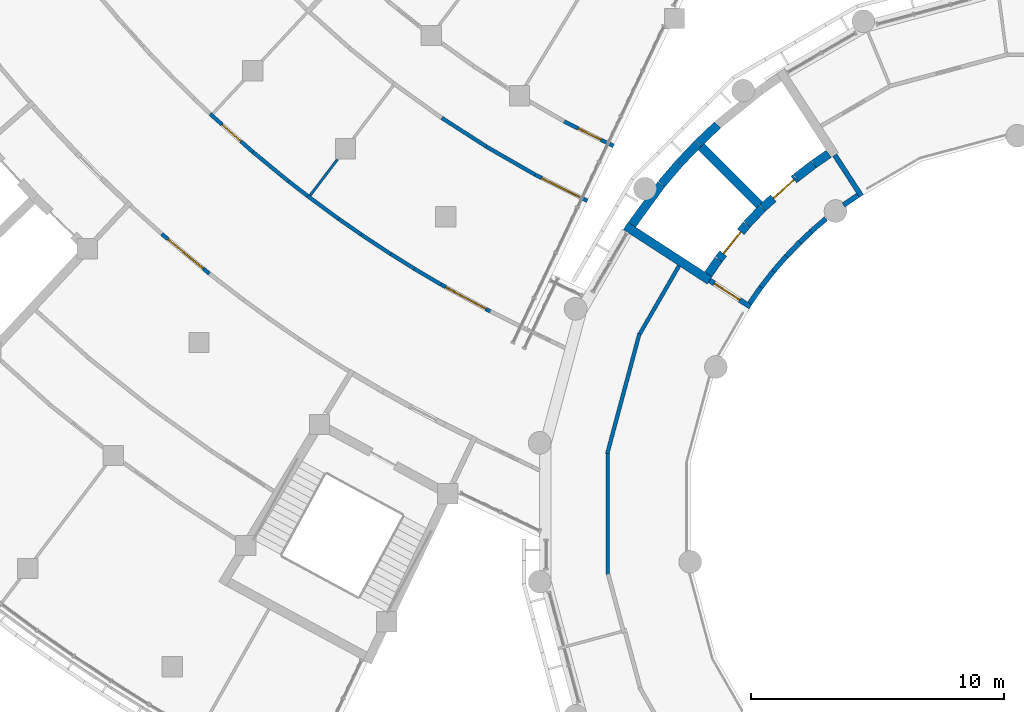
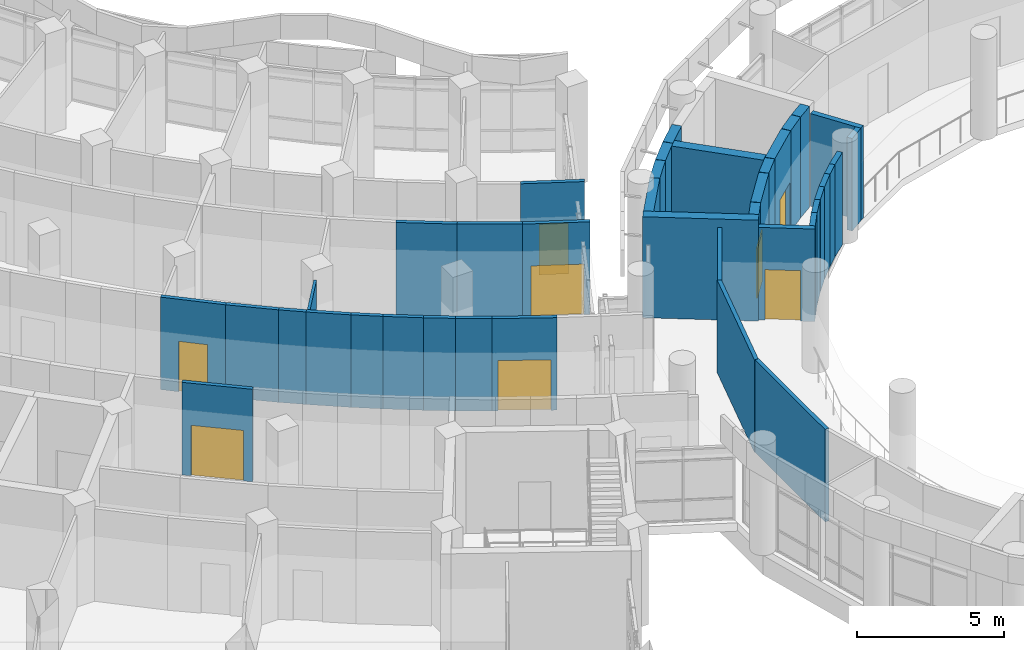
# One storey, part 46 of 109: 39 walls, 8 doors, 8 openings.
"""IFC4 building model written with IfcOpenShell, lengths in metres."""

from ifc_helpers import new_model, si_unit, direction, frame, frame_2d, origin, place, context, subcontext, project, spatial, rectangle, extrude, material, layer, layer_set, type_object, element, fill, save


model = new_model("IFC4")

# Units and contexts
model_context = context("Model", 3, precision=1e-05, world=origin(), true_north=direction((0.0, 1.0)))
body_context = subcontext(model_context, "Body", "Model", "MODEL_VIEW")
ifc_project = project(units=[si_unit("LENGTHUNIT", "METRE"), si_unit("AREAUNIT", "SQUARE_METRE"), si_unit("VOLUMEUNIT", "CUBIC_METRE"), si_unit("PLANEANGLEUNIT", "RADIAN"), si_unit("MASSUNIT", "GRAM", prefix="KILO")], contexts=[model_context])

# Site, building, storey
site_placement = place(None, origin())
site = spatial("IfcSite", under=ifc_project, at=site_placement, CompositionType="ELEMENT")
building_placement = place(site_placement, origin())
building = spatial("IfcBuilding", under=site, at=building_placement, Name="Bougainvillea Quay General Hospital", CompositionType="ELEMENT")
storey_placement = place(building_placement, frame((0.0, 0.0, 12.60009765625)))
storey = spatial("IfcBuildingStorey", under=building, at=storey_placement, Name="L02", CompositionType="ELEMENT", Elevation=12.60009765625)

# Walls
ifc_material_1 = material(Name="Gypsum board partition on steel studs", Category="steel")
ifc_layer_1 = layer(ifc_material_1, 0.10009765625)
ifc_layer_set_1 = layer_set([ifc_layer_1], Name="Gypsum board partition on steel studs")
wall_type_1 = type_object("IfcWallType", Name="Partition 100 Gypsum board partition EI 30", PredefinedType="PARTITIONING", material=ifc_layer_set_1)
wall_1_placement = place(storey_placement, frame((79.311767578125, 86.515380859375, 0.0), z_axis=(0.0, 0.0, 1.0), x_axis=(0.603588624137, 0.797295912954, 0.0)))
element("IfcWall", 1, at=wall_1_placement, inside=storey, type_object=wall_type_1, Name="Partition 100 mm EI 30", PredefinedType="PARTITIONING", context=body_context, shape_type="SweptSolid", body=[
    extrude(rectangle(XDim=1.7822265625, YDim=0.10009765625, at=frame_2d((0.89111328125, 0.0))), origin(), (0.0, 0.0, 1.0), 3.849853515625),
])
ifc_material_2 = material(Name="Gypsum board partition on steel studs, insulated", Category="steel")
ifc_layer_2 = layer(ifc_material_2, 0.14990234375)
ifc_layer_set_2 = layer_set([ifc_layer_2], Name="Gypsum board partition on steel studs, insulated")
wall_type_2 = type_object("IfcWallType", Name="Partition 150 Gypsum board partition EI 30", PredefinedType="PARTITIONING", material=ifc_layer_set_2)
wall_2_placement = place(storey_placement, frame((91.048583984375, 76.3125, 0.0), z_axis=(0.0, 0.0, 1.0), x_axis=(0.258927747961, 0.96589669289, 0.0)))
element("IfcWall", 2, at=wall_2_placement, inside=storey, type_object=wall_type_2, Name="Partition 150 mm EI 30", PredefinedType="PARTITIONING", context=body_context, shape_type="SweptSolid", body=[
    extrude(rectangle(XDim=4.923828125, YDim=0.14990234375, at=frame_2d((2.4619140625, 0.0))), origin(), (0.0, 0.0, 1.0), 3.849853515625),
])
wall_3_placement = place(storey_placement, frame((91.068115234375, 71.5400390625, 0.0), z_axis=(0.0, 0.0, 1.0), x_axis=(0.0, 1.0, 0.0)))
element("IfcWall", 3, at=wall_3_placement, inside=storey, type_object=wall_type_2, Name="Partition 150 mm EI 30", PredefinedType="PARTITIONING", context=body_context, shape_type="SweptSolid", body=[
    extrude(rectangle(XDim=4.787109375, YDim=0.14990234375, at=frame_2d((2.3935546875, 0.0))), origin(), (0.0, 0.0, 1.0), 3.849853515625),
])
wall_4_placement = place(storey_placement, frame((92.3330078125, 81.046142578125, 0.0), z_axis=(0.0, 0.0, 1.0), x_axis=(0.499677038336, 0.866211785512, 0.0)))
element("IfcWall", 4, at=wall_4_placement, inside=storey, type_object=wall_type_2, Name="Partition 150 mm EI 30", PredefinedType="PARTITIONING", context=body_context, shape_type="SweptSolid", body=[
    extrude(rectangle(XDim=3.1025390625, YDim=0.14990234375, at=frame_2d((1.55126953125, 0.0))), origin(), (0.0, 0.0, 1.0), 3.849853515625),
])

# Wall, opening, door
wall_5_placement = place(storey_placement, frame((73.452392578125, 84.991943359375, 0.0), z_axis=(0.0, 0.0, 1.0), x_axis=(0.768531506517, -0.639811943849, 0.0)))
wall_5 = element("IfcWall", 5, at=wall_5_placement, inside=storey, type_object=wall_type_2, Name="Partition 150 mm EI 30", PredefinedType="PARTITIONING", context=body_context, shape_type="SweptSolid", body=[
    extrude(rectangle(XDim=2.450439453125, YDim=0.14990234375, at=frame_2d((1.22509765625, 0.0))), origin(), (0.0, 0.0, 1.0), 3.849853515625),
])
opening_1_placement = place(wall_5_placement, frame((0.3251953125, 0.0, 0.0)))
opening_1 = element("IfcOpeningElement", 6, at=opening_1_placement, cuts=wall_5, Name="Opening L02.189", PredefinedType="OPENING", context=body_context, shape_type="SweptSolid", body=[
    extrude(rectangle(XDim=1.800048828125, YDim=2.10009765625, at=frame_2d((0.89990234375, 1.050048828125))), frame((0.0, 0.0849609375, 0.0), z_axis=(0.0, -1.0, 0.0), x_axis=(1.0, 0.0, 0.0)), (0.0, 0.0, 1.0), 0.169921875),
])
ifc_material_3 = material(Name="Solid-core timber door leaves in steel frame", Category="steel")
door_type_1 = type_object("IfcDoorType", Name="Double leaf door 1800x2100", OperationType="DOUBLE_DOOR_SINGLE_SWING", PredefinedType="DOOR", material=ifc_material_3)
door_1_placement = place(opening_1_placement, origin())
door_1 = element("IfcDoor", 7, at=door_1_placement, inside=storey, type_object=door_type_1, Name="DT08 L02.189", OperationType="DOUBLE_DOOR_SINGLE_SWING", OverallHeight=2.10009765625, OverallWidth=1.800048828125, PredefinedType="DOOR", context=body_context, shape_type="SweptSolid", body=[
    extrude(rectangle(XDim=1.800048828125, YDim=2.10009765625, at=frame_2d((0.89990234375, 1.050048828125))), frame((0.0, 0.02490234375, 0.0), z_axis=(0.0, -1.0, 0.0), x_axis=(1.0, 0.0, 0.0)), (0.0, 0.0, 1.0), 0.050048828125),
])
fill(opening_1, door_1)

wall_6_placement = place(storey_placement, frame((88.200927734375, 87.331298828125, 0.0), z_axis=(0.0, 0.0, 1.0), x_axis=(0.895335597875, -0.445392149883, 0.0)))
wall_6 = element("IfcWall", 8, at=wall_6_placement, inside=storey, type_object=wall_type_2, Name="Partition 150 mm EI 30", PredefinedType="PARTITIONING", context=body_context, shape_type="SweptSolid", body=[
    extrude(rectangle(XDim=2.306640625, YDim=0.14990234375, at=frame_2d((1.1533203125, 0.0))), origin(), (0.0, 0.0, 1.0), 3.849853515625),
])
opening_2_placement = place(wall_6_placement, frame((0.290771484375, 0.0, 0.0)))
opening_2 = element("IfcOpeningElement", 9, at=opening_2_placement, cuts=wall_6, Name="Opening L02.178", PredefinedType="OPENING", context=body_context, shape_type="SweptSolid", body=[
    extrude(rectangle(XDim=1.800048828125, YDim=2.10009765625, at=frame_2d((0.89990234375, 1.050048828125))), frame((0.0, 0.0849609375, 0.0), z_axis=(0.0, -1.0, 0.0), x_axis=(1.0, 0.0, 0.0)), (0.0, 0.0, 1.0), 0.169921875),
])
door_2_placement = place(opening_2_placement, origin())
door_2 = element("IfcDoor", 10, at=door_2_placement, inside=storey, type_object=door_type_1, Name="DT08 L02.178", OperationType="DOUBLE_DOOR_SINGLE_SWING", OverallHeight=2.10009765625, OverallWidth=1.800048828125, PredefinedType="DOOR", context=body_context, shape_type="SweptSolid", body=[
    extrude(rectangle(XDim=1.800048828125, YDim=2.10009765625, at=frame_2d((0.89990234375, 1.050048828125))), frame((0.0, 0.02490234375, 0.0), z_axis=(0.0, -1.0, 0.0), x_axis=(1.0, 0.0, 0.0)), (0.0, 0.0, 1.0), 0.050048828125),
])
fill(opening_2, door_2)

# Walls
wall_7_placement = place(storey_placement, frame((86.26806640625, 88.4462890625, 0.0), z_axis=(0.0, 0.0, 1.0), x_axis=(0.867212921502, -0.497937494852, 0.0)))
element("IfcWall", 11, at=wall_7_placement, inside=storey, type_object=wall_type_2, Name="Partition 150 mm EI 30", PredefinedType="PARTITIONING", context=body_context, shape_type="SweptSolid", body=[
    extrude(rectangle(XDim=2.2353515625, YDim=0.14990234375, at=frame_2d((1.11767578125, 0.0))), origin(), (0.0, 0.0, 1.0), 3.849853515625),
])
wall_8_placement = place(storey_placement, frame((84.51708984375, 89.577392578125, 0.0), z_axis=(0.0, 0.0, 1.0), x_axis=(0.840935250807, -0.541135753717, 0.0)))
element("IfcWall", 12, at=wall_8_placement, inside=storey, type_object=wall_type_2, Name="Partition 150 mm EI 30", PredefinedType="PARTITIONING", context=body_context, shape_type="SweptSolid", body=[
    extrude(rectangle(XDim=2.087890625, YDim=0.14990234375, at=frame_2d((1.0439453125, 0.0))), origin(), (0.0, 0.0, 1.0), 3.849853515625),
])

# Wall, opening, door
wall_9_placement = place(storey_placement, frame((75.360107421875, 89.739990234375, 0.0), z_axis=(0.0, 0.0, 1.0), x_axis=(0.746361982095, -0.665540225443, 0.0)))
wall_9 = element("IfcWall", 13, at=wall_9_placement, inside=storey, type_object=wall_type_2, Name="Partition 150 mm EI 30", PredefinedType="PARTITIONING", context=body_context, shape_type="SweptSolid", body=[
    extrude(rectangle(XDim=2.265625, YDim=0.14990234375, at=frame_2d((1.1328125, 0.0))), origin(), (0.0, 0.0, 1.0), 3.849853515625),
])
opening_3_placement = place(wall_9_placement, frame((0.6328125, 0.0, 0.0)))
opening_3 = element("IfcOpeningElement", 14, at=opening_3_placement, cuts=wall_9, Name="Opening L02.208", PredefinedType="OPENING", context=body_context, shape_type="SweptSolid", body=[
    extrude(rectangle(XDim=1.0, YDim=2.10009765625, at=frame_2d((0.5, 1.050048828125))), frame((0.0, 0.0849609375, 0.0), z_axis=(0.0, -1.0, 0.0), x_axis=(1.0, 0.0, 0.0)), (0.0, 0.0, 1.0), 0.169921875),
])
ifc_material_4 = material(Name="Solid-core timber door leaf in steel frame", Category="steel")
door_type_2 = type_object("IfcDoorType", Name="Single leaf door 1000x2100 FD30S", OperationType="NOTDEFINED", PredefinedType="DOOR", material=ifc_material_4)
door_3_placement = place(opening_3_placement, origin())
door_3 = element("IfcDoor", 15, at=door_3_placement, inside=storey, type_object=door_type_2, Name="DT15 L02.208", OperationType="SINGLE_SWING_LEFT", OverallHeight=2.10009765625, OverallWidth=1.0, PredefinedType="DOOR", context=body_context, shape_type="SweptSolid", body=[
    extrude(rectangle(XDim=1.0, YDim=2.10009765625, at=frame_2d((0.5, 1.050048828125))), frame((0.0, 0.02490234375, 0.0), z_axis=(0.0, -1.0, 0.0), x_axis=(1.0, 0.0, 0.0)), (0.0, 0.0, 1.0), 0.050048828125),
])
fill(opening_3, door_3)

wall_10_placement = place(storey_placement, frame((89.343017578125, 89.4423828125, 0.0), z_axis=(0.0, 0.0, 1.0), x_axis=(0.895274815557, -0.445514314731, 0.0)))
wall_10 = element("IfcWall", 16, at=wall_10_placement, inside=storey, type_object=wall_type_2, Name="Partition 150 mm EI 30", PredefinedType="PARTITIONING", context=body_context, shape_type="SweptSolid", body=[
    extrude(rectangle(XDim=2.184814453125, YDim=0.14990234375, at=frame_2d((1.09228515625, 0.0))), origin(), (0.0, 0.0, 1.0), 3.849853515625),
])
opening_4_placement = place(wall_10_placement, frame((0.6298828125, 0.0, 0.0)))
opening_4 = element("IfcOpeningElement", 17, at=opening_4_placement, cuts=wall_10, Name="Opening L02.209", PredefinedType="OPENING", context=body_context, shape_type="SweptSolid", body=[
    extrude(rectangle(XDim=1.0, YDim=2.10009765625, at=frame_2d((0.5, 1.050048828125))), frame((0.0, 0.0849609375, 0.0), z_axis=(0.0, -1.0, 0.0), x_axis=(1.0, 0.0, 0.0)), (0.0, 0.0, 1.0), 0.169921875),
])
door_4_placement = place(opening_4_placement, origin())
door_4 = element("IfcDoor", 18, at=door_4_placement, inside=storey, type_object=door_type_2, Name="DT15 L02.209", OperationType="SINGLE_SWING_RIGHT", OverallHeight=2.10009765625, OverallWidth=1.0, PredefinedType="DOOR", context=body_context, shape_type="SweptSolid", body=[
    extrude(rectangle(XDim=1.0, YDim=2.10009765625, at=frame_2d((0.5, 1.050048828125))), frame((0.0, 0.02490234375, 0.0), z_axis=(0.0, -1.0, 0.0), x_axis=(1.0, 0.0, 0.0)), (0.0, 0.0, 1.0), 0.050048828125),
])
fill(opening_4, door_4)

wall_11_placement = place(storey_placement, frame((84.489013671875, 82.992919921875, 0.0), z_axis=(0.0, 0.0, 1.0), x_axis=(0.878602388498, -0.47755402095, 0.0)))
wall_11 = element("IfcWall", 19, at=wall_11_placement, inside=storey, type_object=wall_type_2, Name="Partition 150 mm EI 30", PredefinedType="PARTITIONING", context=body_context, shape_type="SweptSolid", body=[
    extrude(rectangle(XDim=2.214599609375, YDim=0.14990234375, at=frame_2d((1.107421875, 0.0))), origin(), (0.0, 0.0, 1.0), 3.849853515625),
])
opening_5_placement = place(wall_11_placement, frame((0.207275390625, 0.0, 0.0)))
opening_5 = element("IfcOpeningElement", 20, at=opening_5_placement, cuts=wall_11, Name="Opening L02.192", PredefinedType="OPENING", context=body_context, shape_type="SweptSolid", body=[
    extrude(rectangle(XDim=1.800048828125, YDim=2.10009765625, at=frame_2d((0.89990234375, 1.050048828125))), frame((0.0, 0.0849609375, 0.0), z_axis=(0.0, -1.0, 0.0), x_axis=(1.0, 0.0, 0.0)), (0.0, 0.0, 1.0), 0.169921875),
])
door_5_placement = place(opening_5_placement, frame((1.800048828125, 0.0, 0.0), z_axis=(0.0, 0.0, 1.0), x_axis=(-1.0, 0.0, 0.0)))
door_5 = element("IfcDoor", 21, at=door_5_placement, inside=storey, type_object=door_type_1, Name="DT08 L02.192", OperationType="DOUBLE_DOOR_SINGLE_SWING", OverallHeight=2.10009765625, OverallWidth=1.800048828125, PredefinedType="DOOR", context=body_context, shape_type="SweptSolid", body=[
    extrude(rectangle(XDim=1.800048828125, YDim=2.10009765625, at=frame_2d((0.89990234375, 1.050048828125))), frame((0.0, 0.02490234375, 0.0), z_axis=(0.0, -1.0, 0.0), x_axis=(1.0, 0.0, 0.0)), (0.0, 0.0, 1.0), 0.050048828125),
])
fill(opening_5, door_5)

# Walls
wall_12_placement = place(storey_placement, frame((77.05078125, 88.236083984375, 0.0), z_axis=(0.0, 0.0, 1.0), x_axis=(0.771517511576, -0.636208086502, 0.0)))
element("IfcWall", 22, at=wall_12_placement, inside=storey, type_object=wall_type_2, Name="Partition 150 mm EI 30", PredefinedType="PARTITIONING", context=body_context, shape_type="SweptSolid", body=[
    extrude(rectangle(XDim=1.827880859375, YDim=0.14990234375, at=frame_2d((0.9140625, 0.0))), origin(), (0.0, 0.0, 1.0), 3.849853515625),
])
wall_13_placement = place(storey_placement, frame((79.20556640625, 86.49951171875, 0.0), z_axis=(0.0, 0.0, 1.0), x_axis=(0.804960127747, -0.593328907721, 0.0)))
element("IfcWall", 23, at=wall_13_placement, inside=storey, type_object=wall_type_2, Name="Partition 150 mm EI 30", PredefinedType="PARTITIONING", context=body_context, shape_type="SweptSolid", body=[
    extrude(rectangle(XDim=1.538818359375, YDim=0.14990234375, at=frame_2d((0.76953125, 0.0))), origin(), (0.0, 0.0, 1.0), 3.849853515625),
])
wall_14_placement = place(storey_placement, frame((81.33837890625, 84.96533203125, 0.0), z_axis=(0.0, 0.0, 1.0), x_axis=(0.834958204617, -0.550313362134, 0.0)))
element("IfcWall", 24, at=wall_14_placement, inside=storey, type_object=wall_type_2, Name="Partition 150 mm EI 30", PredefinedType="PARTITIONING", context=body_context, shape_type="SweptSolid", body=[
    extrude(rectangle(XDim=1.389404296875, YDim=0.14990234375, at=frame_2d((0.69482421875, 0.0))), origin(), (0.0, 0.0, 1.0), 3.849853515625),
])
wall_15_placement = place(storey_placement, frame((83.42236328125, 83.6240234375, 0.0), z_axis=(0.0, 0.0, 1.0), x_axis=(0.861696583626, -0.507423883718, 0.0)))
element("IfcWall", 25, at=wall_15_placement, inside=storey, type_object=wall_type_2, Name="Partition 150 mm EI 30", PredefinedType="PARTITIONING", context=body_context, shape_type="SweptSolid", body=[
    extrude(rectangle(XDim=1.24169921875, YDim=0.14990234375, at=frame_2d((0.620849609375, 0.0))), origin(), (0.0, 0.0, 1.0), 3.849853515625),
])
for number, where, z_axis, x_axis, name in (
    (26, (82.498046875, 84.203125, 0.0), (0.0, 0.0, 1.0), (0.848412292862, -0.529335981509, 0.0), "Partition 150 mm EI 30"),
    (27, (80.44384765625, 85.58935546875, 0.0), (0.0, 0.0, 1.0), (0.821096473197, -0.570789437274, 0.0), "Partition 150 mm EI 30"),
):
    element("IfcWall", number, at=place(storey_placement, frame(where, z_axis=z_axis, x_axis=x_axis)), inside=storey, type_object=wall_type_2, Name=name, PredefinedType="PARTITIONING", context=body_context, shape_type="SweptSolid", body=[
        extrude(rectangle(XDim=1.092529296875, YDim=0.14990234375, at=frame_2d((0.54638671875, 0.0))), origin(), (0.0, 0.0, 1.0), 3.849853515625),
    ])
wall_16_placement = place(storey_placement, frame((78.46044921875, 87.07666015625, 0.0), z_axis=(0.0, 0.0, 1.0), x_axis=(0.791671493317, -0.610947008069, 0.0)))
element("IfcWall", 28, at=wall_16_placement, inside=storey, type_object=wall_type_2, Name="Partition 150 mm EI 30", PredefinedType="PARTITIONING", context=body_context, shape_type="SweptSolid", body=[
    extrude(rectangle(XDim=0.9443359375, YDim=0.14990234375, at=frame_2d((0.47216796875, 0.0))), origin(), (0.0, 0.0, 1.0), 3.849853515625),
])

# Wall, opening, door
ifc_material_5 = material(Name="Fire-rated autoclaved aerated block wall, plastered")
ifc_layer_3 = layer(ifc_material_5, 0.199951171875)
ifc_layer_set_3 = layer_set([ifc_layer_3], Name="Fire-rated autoclaved aerated block wall, plastered")
wall_type_3 = type_object("IfcWallType", Name="Partition 200 Fire-rated autoclaved aerated block wall EI 120", PredefinedType="SOLIDWALL", material=ifc_layer_set_3)
wall_17_placement = place(storey_placement, frame((95.08984375, 83.163818359375, 0.0), z_axis=(0.0, 0.0, 1.0), x_axis=(0.838626157518, -0.544707414973, 0.0)))
wall_17 = element("IfcWall", 29, at=wall_17_placement, inside=storey, type_object=wall_type_3, Name="Partition 200 mm EI 120", PredefinedType="SOLIDWALL", context=body_context, shape_type="SweptSolid", body=[
    extrude(rectangle(XDim=1.924560546875, YDim=0.199951171875, at=frame_2d((0.96240234375, 0.0))), origin(), (0.0, 0.0, 1.0), 3.849853515625),
])
opening_6_placement = place(wall_17_placement, frame((0.224853515625, 0.0, 0.0)))
opening_6 = element("IfcOpeningElement", 30, at=opening_6_placement, cuts=wall_17, Name="Opening L02.201", PredefinedType="OPENING", context=body_context, shape_type="SweptSolid", body=[
    extrude(rectangle(XDim=1.199951171875, YDim=2.10009765625, at=frame_2d((0.60009765625, 1.050048828125))), frame((0.0, 0.10986328125, 0.0), z_axis=(0.0, -1.0, 0.0), x_axis=(1.0, 0.0, 0.0)), (0.0, 0.0, 1.0), 0.219970703125),
])
door_type_3 = type_object("IfcDoorType", Name="Single leaf door 1200x2100 FD60", OperationType="NOTDEFINED", PredefinedType="DOOR", material=ifc_material_4)
door_6_placement = place(opening_6_placement, origin())
door_6 = element("IfcDoor", 31, at=door_6_placement, inside=storey, type_object=door_type_3, Name="DT12 L02.201", OperationType="SINGLE_SWING_LEFT", OverallHeight=2.10009765625, OverallWidth=1.199951171875, PredefinedType="DOOR", context=body_context, shape_type="SweptSolid", body=[
    extrude(rectangle(XDim=1.199951171875, YDim=2.10009765625, at=frame_2d((0.60009765625, 1.050048828125))), frame((0.0, 0.02490234375, 0.0), z_axis=(0.0, -1.0, 0.0), x_axis=(1.0, 0.0, 0.0)), (0.0, 0.0, 1.0), 0.050048828125),
])
fill(opening_6, door_6)

# Walls
wall_18_placement = place(storey_placement, frame((100.036376953125, 88.110107421875, 0.0), z_axis=(0.0, 0.0, 1.0), x_axis=(0.544618190689, -0.838684104041, 0.0)))
element("IfcWall", 32, at=wall_18_placement, inside=storey, type_object=wall_type_3, Name="Partition 200 mm EI 120", PredefinedType="SOLIDWALL", context=body_context, shape_type="SweptSolid", body=[
    extrude(rectangle(XDim=1.924560546875, YDim=0.199951171875, at=frame_2d((0.96240234375, 0.0))), origin(), (0.0, 0.0, 1.0), 3.849853515625),
])
wall_19_placement = place(storey_placement, frame((100.382568359375, 86.134765625, 0.0), z_axis=(0.0, 0.0, 1.0), x_axis=(0.823886668557, 0.56675458302, 0.0)))
element("IfcWall", 33, at=wall_19_placement, inside=storey, type_object=wall_type_3, Name="Partition 200 mm EI 120", PredefinedType="SOLIDWALL", context=body_context, shape_type="SweptSolid", body=[
    extrude(rectangle(XDim=0.6884765625, YDim=0.199951171875, at=frame_2d((0.34423828125, 0.0))), origin(), (0.0, 0.0, 1.0), 3.849853515625),
])
wall_20_placement = place(storey_placement, frame((96.67529296875, 82.250244140625, 0.0), z_axis=(0.0, 0.0, 1.0), x_axis=(0.566515670131, 0.824050966564, 0.0)))
element("IfcWall", 34, at=wall_20_placement, inside=storey, type_object=wall_type_3, Name="Partition 200 mm EI 120", PredefinedType="SOLIDWALL", context=body_context, shape_type="SweptSolid", body=[
    extrude(rectangle(XDim=0.787841796875, YDim=0.199951171875, at=frame_2d((0.39404296875, 0.0))), origin(), (0.0, 0.0, 1.0), 3.849853515625),
])
wall_21_placement = place(storey_placement, frame((97.122802734375, 82.892333984375, 0.0), z_axis=(0.0, 0.0, 1.0), x_axis=(0.608859474519, 0.793278097699, 0.0)))
element("IfcWall", 35, at=wall_21_placement, inside=storey, type_object=wall_type_3, Name="Partition 200 mm EI 120", PredefinedType="SOLIDWALL", context=body_context, shape_type="SweptSolid", body=[
    extrude(rectangle(XDim=0.790283203125, YDim=0.199951171875, at=frame_2d((0.39501953125, 0.0))), origin(), (0.0, 0.0, 1.0), 3.849853515625),
])
for number, where, z_axis, x_axis, name in (
    (36, (97.604736328125, 83.51220703125, 0.0), (0.0, 0.0, 1.0), (0.649467241597, 0.760389572583, 0.0), "Partition 200 mm EI 120"),
    (37, (99.0869140625, 85.08203125, 0.0), (0.0, 0.0, 1.0), (0.760389572583, 0.649467241597, 0.0), "Partition 200 mm EI 120"),
):
    element("IfcWall", number, at=place(storey_placement, frame(where, z_axis=z_axis, x_axis=x_axis)), inside=storey, type_object=wall_type_3, Name=name, PredefinedType="SOLIDWALL", context=body_context, shape_type="SweptSolid", body=[
        extrude(rectangle(XDim=0.7900390625, YDim=0.199951171875, at=frame_2d((0.39501953125, 0.0))), origin(), (0.0, 0.0, 1.0), 3.849853515625),
    ])
wall_22_placement = place(storey_placement, frame((98.118408203125, 84.10595703125, 0.0), z_axis=(0.0, 0.0, 1.0), x_axis=(0.687693231893, 0.726001390363, 0.0)))
element("IfcWall", 38, at=wall_22_placement, inside=storey, type_object=wall_type_3, Name="Partition 200 mm EI 120", PredefinedType="SOLIDWALL", context=body_context, shape_type="SweptSolid", body=[
    extrude(rectangle(XDim=0.790283203125, YDim=0.199951171875, at=frame_2d((0.39501953125, 0.0))), origin(), (0.0, 0.0, 1.0), 3.849853515625),
])
wall_23_placement = place(storey_placement, frame((98.661865234375, 84.672119140625, 0.0), z_axis=(0.0, 0.0, 1.0), x_axis=(0.725920352122, 0.687778774298, 0.0)))
element("IfcWall", 39, at=wall_23_placement, inside=storey, type_object=wall_type_3, Name="Partition 200 mm EI 120", PredefinedType="SOLIDWALL", context=body_context, shape_type="SweptSolid", body=[
    extrude(rectangle(XDim=0.59521484375, YDim=0.199951171875, at=frame_2d((0.297607421875, 0.0))), origin(), (0.0, 0.0, 1.0), 3.849853515625),
])
ifc_material_6 = material(Name="Concrete C40", Category="concrete")
ifc_layer_4 = layer(ifc_material_6, 0.35009765625)
ifc_layer_set_4 = layer_set([ifc_layer_4], Name="Concrete C40")
wall_type_4 = type_object("IfcWallType", Name="RC SHEAR WALL 350 C40", PredefinedType="SHEAR", material=ifc_layer_set_4)
wall_24_placement = place(storey_placement, frame((91.776123046875, 85.315185546875, 0.0), z_axis=(0.0, 0.0, 1.0), x_axis=(0.838710342359, -0.544577782893, 0.0)))
element("IfcWall", 40, at=wall_24_placement, inside=storey, type_object=wall_type_4, Name="Shear wall L02", PredefinedType="SHEAR", context=body_context, shape_type="SweptSolid", body=[
    extrude(rectangle(XDim=3.950927734375, YDim=0.35009765625, at=frame_2d((1.9755859375, 0.0))), origin(), (0.0, 0.0, 1.0), 4.199951171875),
])
wall_25_placement = place(storey_placement, frame((93.18701171875, 86.95849609375, 0.0), z_axis=(0.0, 0.0, 1.0), x_axis=(-0.588083467619, -0.808800244259, 0.0)))
element("IfcWall", 41, at=wall_25_placement, inside=storey, type_object=wall_type_4, Name="Shear wall L02", PredefinedType="SHEAR", context=body_context, shape_type="SweptSolid", body=[
    extrude(rectangle(XDim=1.974365234375, YDim=0.35009765625, at=frame_2d((0.9873046875, 0.0))), origin(), (0.0, 0.0, 1.0), 4.199951171875),
])
wall_26_placement = place(storey_placement, frame((93.1953125, 86.96923828125, 0.0), z_axis=(0.0, 0.0, 1.0), x_axis=(0.649301127712, 0.760531423119, 0.0)))
element("IfcWall", 42, at=wall_26_placement, inside=storey, type_object=wall_type_4, Name="Shear wall L02", PredefinedType="SHEAR", context=body_context, shape_type="SweptSolid", body=[
    extrude(rectangle(XDim=1.066650390625, YDim=0.35009765625, at=frame_2d((0.533203125, 0.0))), origin(), (0.0, 0.0, 1.0), 4.199951171875),
])
wall_27_placement = place(storey_placement, frame((93.894287109375, 87.787353515625, 0.0), z_axis=(0.0, 0.0, 1.0), x_axis=(0.688725463476, 0.725022231356, 0.0)))
element("IfcWall", 43, at=wall_27_placement, inside=storey, type_object=wall_type_4, Name="Shear wall L02", PredefinedType="SHEAR", context=body_context, shape_type="SweptSolid", body=[
    extrude(rectangle(XDim=1.069580078125, YDim=0.35009765625, at=frame_2d((0.53466796875, 0.0))), origin(), (0.0, 0.0, 1.0), 4.199951171875),
])
wall_28_placement = place(storey_placement, frame((94.63720703125, 88.569091796875, 0.0), z_axis=(0.0, 0.0, 1.0), x_axis=(0.724948027673, 0.688803569367, 0.0)))
element("IfcWall", 44, at=wall_28_placement, inside=storey, type_object=wall_type_4, Name="Shear wall L02", PredefinedType="SHEAR", context=body_context, shape_type="SweptSolid", body=[
    extrude(rectangle(XDim=1.067138671875, YDim=0.35009765625, at=frame_2d((0.53369140625, 0.0))), origin(), (0.0, 0.0, 1.0), 4.199951171875),
])
wall_29_placement = place(storey_placement, frame((94.7578125, 88.442138671875, 0.0), z_axis=(0.0, 0.0, 1.0), x_axis=(0.707106781187, -0.707106781187, 0.0)))
element("IfcWall", 45, at=wall_29_placement, inside=storey, type_object=wall_type_4, Name="Shear wall L02", PredefinedType="SHEAR", context=body_context, shape_type="SweptSolid", body=[
    extrude(rectangle(XDim=3.2490234375, YDim=0.35009765625, at=frame_2d((1.62451171875, 0.0))), origin(), (0.0, 0.0, 1.0), 4.199951171875),
])
wall_30_placement = place(storey_placement, frame((95.042236328125, 83.4033203125, 0.0), z_axis=(0.0, 0.0, 1.0), x_axis=(0.566587399165, 0.824001649942, 0.0)))
element("IfcWall", 46, at=wall_30_placement, inside=storey, type_object=wall_type_4, Name="Shear wall L02", PredefinedType="SHEAR", context=body_context, shape_type="SweptSolid", body=[
    extrude(rectangle(XDim=0.70751953125, YDim=0.35009765625, at=frame_2d((0.353759765625, 0.0))), origin(), (0.0, 0.0, 1.0), 4.199951171875),
])

# Wall, opening, door
wall_31_placement = place(storey_placement, frame((95.451416015625, 83.997314453125, 0.0), z_axis=(0.0, 0.0, 1.0), x_axis=(0.629337420675, 0.777132170829, 0.0)))
wall_31 = element("IfcWall", 47, at=wall_31_placement, inside=storey, type_object=wall_type_4, Name="Shear wall L02", PredefinedType="SHEAR", context=body_context, shape_type="SweptSolid", body=[
    extrude(rectangle(XDim=1.765869140625, YDim=0.35009765625, at=frame_2d((0.8828125, 0.0))), origin(), (0.0, 0.0, 1.0), 4.199951171875),
])
opening_7_placement = place(wall_31_placement, frame((0.28564453125, 0.0, 0.0)))
opening_7 = element("IfcOpeningElement", 48, at=opening_7_placement, cuts=wall_31, Name="Opening LD-H1.2-L02", PredefinedType="OPENING", context=body_context, shape_type="SweptSolid", body=[
    extrude(rectangle(XDim=1.10009765625, YDim=2.10009765625, at=frame_2d((0.550048828125, 1.050048828125))), frame((0.0, 0.18505859375, 0.0), z_axis=(0.0, -1.0, 0.0), x_axis=(1.0, 0.0, 0.0)), (0.0, 0.0, 1.0), 0.3701171875),
])
ifc_material_7 = material(Name="Stainless steel centre-opening landing door", Category="steel")
door_type_4 = type_object("IfcDoorType", Name="Lift landing door 1100x2100 E 120", OperationType="DOUBLE_DOOR_SLIDING", PredefinedType="DOOR", material=ifc_material_7)
door_7_placement = place(opening_7_placement, origin())
door_7 = element("IfcDoor", 49, at=door_7_placement, inside=storey, type_object=door_type_4, Name="Lift landing door LB-H1-2 L02", OperationType="DOUBLE_DOOR_SLIDING", OverallHeight=2.10009765625, OverallWidth=1.10009765625, PredefinedType="DOOR", context=body_context, shape_type="SweptSolid", body=[
    extrude(rectangle(XDim=1.10009765625, YDim=2.10009765625, at=frame_2d((0.550048828125, 1.050048828125))), frame((0.0, 0.02490234375, 0.0), z_axis=(0.0, -1.0, 0.0), x_axis=(1.0, 0.0, 0.0)), (0.0, 0.0, 1.0), 0.050048828125),
])
fill(opening_7, door_7)

# Wall
wall_32_placement = place(storey_placement, frame((96.57177734375, 85.3798828125, 0.0), z_axis=(0.0, 0.0, 1.0), x_axis=(0.687613208908, 0.726077182491, 0.0)))
element("IfcWall", 50, at=wall_32_placement, inside=storey, type_object=wall_type_4, Name="Shear wall L02", PredefinedType="SHEAR", context=body_context, shape_type="SweptSolid", body=[
    extrude(rectangle(XDim=0.8759765625, YDim=0.35009765625, at=frame_2d((0.43798828125, 0.0))), origin(), (0.0, 0.0, 1.0), 4.199951171875),
])

# Wall, opening, door
wall_33_placement = place(storey_placement, frame((97.18408203125, 86.025634765625, 0.0), z_axis=(0.0, 0.0, 1.0), x_axis=(0.743452252039, 0.668789016759, 0.0)))
wall_33 = element("IfcWall", 51, at=wall_33_placement, inside=storey, type_object=wall_type_4, Name="Shear wall L02", PredefinedType="SHEAR", context=body_context, shape_type="SweptSolid", body=[
    extrude(rectangle(XDim=1.765625, YDim=0.35009765625, at=frame_2d((0.8828125, 0.0))), origin(), (0.0, 0.0, 1.0), 4.199951171875),
])
opening_8_placement = place(wall_33_placement, frame((0.565673828125, 0.0, 0.0)))
opening_8 = element("IfcOpeningElement", 52, at=opening_8_placement, cuts=wall_33, Name="Opening LD-H1.1-L02", PredefinedType="OPENING", context=body_context, shape_type="SweptSolid", body=[
    extrude(rectangle(XDim=1.10009765625, YDim=2.10009765625, at=frame_2d((0.550048828125, 1.050048828125))), frame((0.0, 0.18505859375, 0.0), z_axis=(0.0, -1.0, 0.0), x_axis=(1.0, 0.0, 0.0)), (0.0, 0.0, 1.0), 0.3701171875),
])
door_8_placement = place(opening_8_placement, origin())
door_8 = element("IfcDoor", 53, at=door_8_placement, inside=storey, type_object=door_type_4, Name="Lift landing door LB-H1-1 L02", OperationType="DOUBLE_DOOR_SLIDING", OverallHeight=2.10009765625, OverallWidth=1.10009765625, PredefinedType="DOOR", context=body_context, shape_type="SweptSolid", body=[
    extrude(rectangle(XDim=1.10009765625, YDim=2.10009765625, at=frame_2d((0.550048828125, 1.050048828125))), frame((0.0, 0.02490234375, 0.0), z_axis=(0.0, -1.0, 0.0), x_axis=(1.0, 0.0, 0.0)), (0.0, 0.0, 1.0), 0.050048828125),
])
fill(opening_8, door_8)

# Walls
wall_34_placement = place(storey_placement, frame((98.50732421875, 87.215087890625, 0.0), z_axis=(0.0, 0.0, 1.0), x_axis=(0.793181366791, 0.608985483715, 0.0)))
element("IfcWall", 54, at=wall_34_placement, inside=storey, type_object=wall_type_4, Name="Shear wall L02", PredefinedType="SHEAR", context=body_context, shape_type="SweptSolid", body=[
    extrude(rectangle(XDim=0.878662109375, YDim=0.35009765625, at=frame_2d((0.439453125, 0.0))), origin(), (0.0, 0.0, 1.0), 4.199951171875),
])
wall_35_placement = place(storey_placement, frame((99.211669921875, 87.755615234375, 0.0), z_axis=(0.0, 0.0, 1.0), x_axis=(0.824031893461, 0.566543412776, 0.0)))
element("IfcWall", 55, at=wall_35_placement, inside=storey, type_object=wall_type_4, Name="Shear wall L02", PredefinedType="SHEAR", context=body_context, shape_type="SweptSolid", body=[
    extrude(rectangle(XDim=0.710205078125, YDim=0.35009765625, at=frame_2d((0.35498046875, 0.0))), origin(), (0.0, 0.0, 1.0), 4.199951171875),
])

save(model, "model.ifc")
